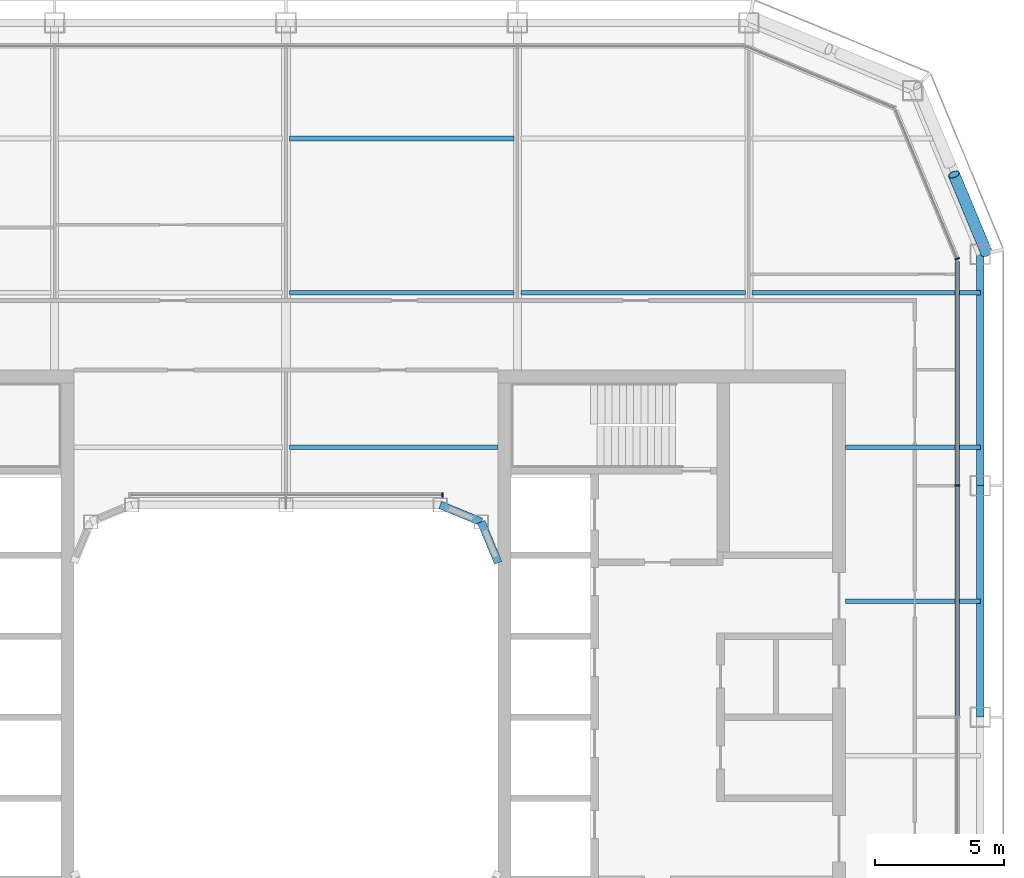
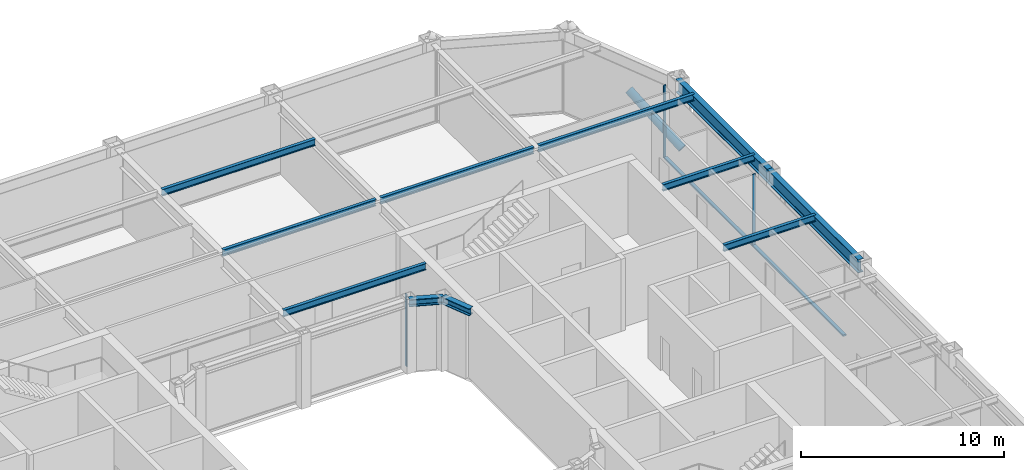
# One storey, part 9 of 19: 11 beams, 6 members, 3 elements without a shape of their own.
"""IFC4 building model written with IfcOpenShell, lengths in metres."""

import ifcopenshell
import ifcopenshell.guid

model = None  # the IFC model being written
_history = None  # IfcOwnerHistory: only IFC2X3 demands one
_inside = {}  # id of a spatial element -> (the spatial element, [elements in it])
_under = {}  # id of a project, library or spatial element -> (it, [spatial elements below it])
_declared = {}  # id of a project -> (the project, [libraries it declares])
_typed = {}  # id of a type object -> (the type object, [elements of that type])
_made_of = {}  # id of a material, layer set ... -> (it, [elements and type objects made of it])


def new_model(schema):
    """Start an empty IFC model of exactly this schema.

    Asked for "IFC4X3", IfcOpenShell would pick the latest addendum, in which some entities
    have other attributes; the version numbers below select the first issue.
    IFC2X3 requires an IfcOwnerHistory on every rooted entity: one is made here for all.
    """
    global model, _history
    if schema == "IFC4X3":
        model = ifcopenshell.file(schema_version=(4, 3, 0, 0))
    else:
        model = ifcopenshell.file(schema=schema)
    _inside.clear()
    _under.clear()
    _declared.clear()
    _typed.clear()
    _made_of.clear()
    _history = None
    if model.schema == "IFC2X3":
        org = make("IfcOrganization", Name="unknown")
        user = make(
            "IfcPersonAndOrganization",
            ThePerson=make("IfcPerson", FamilyName="unknown"),
            TheOrganization=org,
        )
        app = make(
            "IfcApplication",
            ApplicationDeveloper=org,
            Version="unknown",
            ApplicationFullName="unknown",
            ApplicationIdentifier="unknown",
        )
        _history = make(
            "IfcOwnerHistory",
            OwningUser=user,
            OwningApplication=app,
            ChangeAction="ADDED",
            CreationDate=0,
        )
    return model


def make(cls, **values):
    """One entity of the class cls with the attributes given. An attribute that is None is left unset."""
    return model.create_entity(
        cls, **{name: value for name, value in values.items() if value is not None}
    )


def rooted(cls, **values):
    """An entity with a GlobalId (a new one), such as an element, a storey or a relation."""
    return make(cls, GlobalId=ifcopenshell.guid.new(), OwnerHistory=_history, **values)


def si_unit(unit_type, name, prefix=None):
    """IfcSIUnit, for example si_unit("LENGTHUNIT", "METRE", prefix="MILLI")."""
    return make("IfcSIUnit", UnitType=unit_type, Prefix=prefix, Name=name)


def assignment(units):
    """IfcUnitAssignment: the units of a project."""
    return None if units is None else make("IfcUnitAssignment", Units=units)


def point(xyz):
    """IfcCartesianPoint."""
    return None if xyz is None else make("IfcCartesianPoint", Coordinates=xyz)


def direction(xyz):
    """IfcDirection."""
    return None if xyz is None else make("IfcDirection", DirectionRatios=xyz)


def frame(location, z_axis=None, x_axis=None):
    """IfcAxis2Placement3D, a coordinate frame: its origin and axes. An axis left out is left unset."""
    return make(
        "IfcAxis2Placement3D",
        Location=point(location),
        Axis=direction(z_axis),
        RefDirection=direction(x_axis),
    )


def frame_2d(location, x_axis=None):
    """IfcAxis2Placement2D, a coordinate frame in the plane: its origin and x axis."""
    return make(
        "IfcAxis2Placement2D", Location=point(location), RefDirection=direction(x_axis)
    )


def origin():
    """The frame at (0, 0, 0) with its axes left unset."""
    return frame((0.0, 0.0, 0.0))


def origin_2d():
    """The frame at (0, 0) in the plane with its x axis left unset."""
    return frame_2d((0.0, 0.0))


def place(relative_to, where):
    """IfcLocalPlacement: puts the frame where relative to a parent placement (None: the world)."""
    return make(
        "IfcLocalPlacement", PlacementRelTo=relative_to, RelativePlacement=where
    )


def context(
    kind, dimensions, precision=None, world=None, true_north=None, identifier=None
):
    """IfcGeometricRepresentationContext, for example the 3D "Model" context."""
    return make(
        "IfcGeometricRepresentationContext",
        ContextIdentifier=identifier,
        ContextType=kind,
        CoordinateSpaceDimension=dimensions,
        Precision=precision,
        WorldCoordinateSystem=world,
        TrueNorth=true_north,
    )


def subcontext(parent, identifier, kind, view, scale=None):
    """IfcGeometricRepresentationSubContext, for example "Body" below "Model"."""
    return make(
        "IfcGeometricRepresentationSubContext",
        ContextIdentifier=identifier,
        ContextType=kind,
        ParentContext=parent,
        TargetScale=scale,
        TargetView=view,
    )


def project(units=None, contexts=None):
    """IfcProject with its units and contexts."""
    return rooted(
        "IfcProject",
        Name="project",
        RepresentationContexts=contexts,
        UnitsInContext=assignment(units),
    )


def spatial(cls, under=None, at=None, **own):
    """A site, building, storey or space (cls), placed at a placement, below another one or the project."""
    s = rooted(cls, ObjectPlacement=at, **own)
    if under is not None:
        _under.setdefault(under.id(), (under, []))[1].append(s)
    return s


def profile(cls, at=None, kind="AREA", **sizes):
    """A parametric profile (cls). Its sizes go by their IFC names, for example OverallWidth=200.0."""
    return make(cls, ProfileType=kind, Position=at, **sizes)


def rectangle(**sizes):
    """IfcRectangleProfileDef."""
    return profile("IfcRectangleProfileDef", **sizes)


def hollow_circle(**sizes):
    """IfcCircleHollowProfileDef."""
    return profile("IfcCircleHollowProfileDef", **sizes)


def i_section(**sizes):
    """IfcIShapeProfileDef."""
    return profile("IfcIShapeProfileDef", **sizes)


def extrude(swept, where, along, depth):
    """IfcExtrudedAreaSolid: the profile swept, set in the frame where, extruded along a direction by depth."""
    return make(
        "IfcExtrudedAreaSolid",
        SweptArea=swept,
        Position=where,
        ExtrudedDirection=direction(along),
        Depth=depth,
    )


def shape(context_of_items, identifier, shape_type, items):
    """IfcShapeRepresentation: the items that make up one representation, for example the "Body"."""
    return make(
        "IfcShapeRepresentation",
        ContextOfItems=context_of_items,
        RepresentationIdentifier=identifier,
        RepresentationType=shape_type,
        Items=items,
    )


def material(Name=None, Category=None):
    """IfcMaterial."""
    return make("IfcMaterial", Name=Name, Category=Category)


def layer(
    of_material, thickness, ventilated=None, Name=None, Category=None, Priority=None
):
    """IfcMaterialLayer: one layer of a wall or slab, of a material (None: an air gap)."""
    return make(
        "IfcMaterialLayer",
        Material=of_material,
        LayerThickness=thickness,
        IsVentilated=ventilated,
        Name=Name,
        Category=Category,
        Priority=Priority,
    )


def layer_set(layers, Name=None):
    """IfcMaterialLayerSet."""
    return make("IfcMaterialLayerSet", MaterialLayers=layers, LayerSetName=Name)


def material_profile(
    of_material, cross_section, Name=None, Category=None, Priority=None
):
    """IfcMaterialProfile: a cross section and its material."""
    return make(
        "IfcMaterialProfile",
        Name=Name,
        Material=of_material,
        Profile=cross_section,
        Priority=Priority,
        Category=Category,
    )


def profile_set(profiles, Name=None, composite=None):
    """IfcMaterialProfileSet."""
    return make(
        "IfcMaterialProfileSet",
        Name=Name,
        MaterialProfiles=profiles,
        CompositeProfile=composite,
    )


def made_of(thing, what):
    """Note that an element or type object is made of a material, layer set ...; save() writes the relation."""
    if what is not None:
        _made_of.setdefault(what.id(), (what, []))[1].append(thing)
    return thing


def type_object(cls, material=None, **own):
    """A type object (cls), such as IfcWallType, which elements share."""
    return made_of(rooted(cls, **own), material)


def element(
    cls,
    number,
    at=None,
    inside=None,
    cuts=None,
    type_object=None,
    material=None,
    context=None,
    identifier="Body",
    shape_type=None,
    held_by="IfcProductDefinitionShape",
    body=None,
    shapes=None,
    **own,
):
    """One element of the class cls, such as IfcWall. Its Tag is "e" and its number.

    at: its placement. inside: the storey or other place that contains it. cuts: it is an
    opening in that element (IfcRelVoidsElement). A single representation is given by context,
    identifier, shape_type and body (its items); several are given by shapes. held_by: the class
    of the entity that holds the representations. save() writes the other relations.
    """
    e = rooted(cls, Tag="e%d" % number, ObjectPlacement=at, **own)
    if body is not None:
        shapes = [shape(context, identifier, shape_type, body)]
    if shapes is not None:
        e.Representation = make(held_by, Representations=shapes)
    if inside is not None:
        _inside.setdefault(inside.id(), (inside, []))[1].append(e)
    if cuts is not None:
        rooted(
            "IfcRelVoidsElement", RelatingBuildingElement=cuts, RelatedOpeningElement=e
        )
    if type_object is not None:
        _typed.setdefault(type_object.id(), (type_object, []))[1].append(e)
    return made_of(e, material)


def aggregate(whole, parts):
    """IfcRelAggregates: a whole, such as a stair, and the parts it consists of."""
    return rooted("IfcRelAggregates", RelatingObject=whole, RelatedObjects=parts)


def save(model, path):
    """Write the relations noted so far, then the file.

    IfcRelAggregates (storeys below a building ...), IfcRelContainedInSpatialStructure (elements
    in a storey), IfcRelDefinesByType, IfcRelAssociatesMaterial and IfcRelDeclares: one each for
    every whole, place, type object, material and project.
    """
    for whole, parts in _under.values():
        aggregate(whole, parts)
    for where, things in _inside.values():
        rooted(
            "IfcRelContainedInSpatialStructure",
            RelatedElements=things,
            RelatingStructure=where,
        )
    for kind, things in _typed.values():
        rooted("IfcRelDefinesByType", RelatedObjects=things, RelatingType=kind)
    for what, things in _made_of.values():
        rooted("IfcRelAssociatesMaterial", RelatedObjects=things, RelatingMaterial=what)
    for by, libraries in _declared.values():
        rooted("IfcRelDeclares", RelatingContext=by, RelatedDefinitions=libraries)
    model.write(path)


model = new_model("IFC4")

# Units and contexts
model_context = context("Model", 3, precision=1e-05, world=origin(), true_north=direction((0.0, 1.0)))
body_context = subcontext(model_context, "Body", "Model", "MODEL_VIEW")
ifc_project = project(units=[si_unit("LENGTHUNIT", "METRE"), si_unit("AREAUNIT", "SQUARE_METRE"), si_unit("VOLUMEUNIT", "CUBIC_METRE"), si_unit("PLANEANGLEUNIT", "RADIAN"), si_unit("MASSUNIT", "GRAM", prefix="KILO")], contexts=[model_context])

# Site, building, storey
site_placement = place(None, origin())
site = spatial("IfcSite", under=ifc_project, at=site_placement, CompositionType="ELEMENT")
building_placement = place(site_placement, origin())
building = spatial("IfcBuilding", under=site, at=building_placement, Name="Siwar Civic Tower", CompositionType="ELEMENT")
storey_placement = place(building_placement, frame((0.0, 0.0, 264.699951171875)))
storey = spatial("IfcBuildingStorey", under=building, at=storey_placement, Name="L57", CompositionType="ELEMENT", Elevation=264.699951171875)

# Curtain wall, member
ifc_material_1 = material(Name="Aluminium and glass", Category="aluminium")
ifc_layer_1 = layer(ifc_material_1, 0.179931640625)
ifc_layer_set_1 = layer_set([ifc_layer_1], Name="Aluminium and glass")
curtain_wall_type_1 = type_object("IfcCurtainWallType", Name="ENV-CW-C", PredefinedType="NOTDEFINED", material=ifc_layer_set_1)
curtain_wall_1_placement = place(storey_placement, origin())
curtain_wall_1 = element("IfcCurtainWall", 1, at=curtain_wall_1_placement, inside=storey, type_object=curtain_wall_type_1, Name="Curtain wall C E", PredefinedType="NOTDEFINED")
ifc_material_2 = material(Name="Aluminium 6063-T6", Category="aluminium")
ifc_material_profile_1 = material_profile(ifc_material_2, rectangle(XDim=0.179931640625, YDim=0.06005859375, at=origin_2d()), Name="AL 180x60")
ifc_profile_set_1 = profile_set([ifc_material_profile_1], Name="Aluminium 6063-T6")
member_type_1 = type_object("IfcMemberType", Name="ENV-MULLION-C", PredefinedType="MULLION", material=ifc_profile_set_1)
member_1_placement = place(storey_placement, frame((26.10009765625, 9.0, 0.0), z_axis=(0.0, 0.0, 1.0), x_axis=(-1.0, 0.0, 0.0)))
member_1 = element("IfcMember", 2, at=member_1_placement, type_object=member_type_1, Name="Mullion C E 4", PredefinedType="MULLION", context=body_context, shape_type="SweptSolid", body=[
    extrude(rectangle(XDim=0.179931640625, YDim=0.06005859375, at=origin_2d()), origin(), (0.0, 0.0, 1.0), 4.35009765625),
])

ifc_material_3 = material(Name="Aluminium clad insulated panel", Category="aluminium")
ifc_layer_2 = layer(ifc_material_3, 0.179931640625)
ifc_layer_set_2 = layer_set([ifc_layer_2], Name="Aluminium clad insulated panel")
curtain_wall_type_2 = type_object("IfcCurtainWallType", Name="ENV-CW-CX", PredefinedType="NOTDEFINED", material=ifc_layer_set_2)
curtain_wall_2_placement = place(storey_placement, origin())
curtain_wall_2 = element("IfcCurtainWall", 3, at=curtain_wall_2_placement, inside=storey, type_object=curtain_wall_type_2, Name="Curtain wall C NE1", PredefinedType="NOTDEFINED")
member_2_placement = place(storey_placement, frame((26.10009765625, 17.821044921875, 0.0), z_axis=(0.0, 0.0, 1.0), x_axis=(-0.923879532511, -0.382683432365, 0.0)))
member_2 = element("IfcMember", 4, at=member_2_placement, type_object=member_type_1, Name="Mullion C NE1 1", PredefinedType="MULLION", context=body_context, shape_type="SweptSolid", body=[
    extrude(rectangle(XDim=0.179931640625, YDim=0.06005859375, at=origin_2d()), origin(), (0.0, 0.0, 1.0), 4.35009765625),
])
aggregate(curtain_wall_2, [member_2])

ifc_material_4 = material(Name="Aluminium and glass", Category="aluminium")
ifc_layer_3 = layer(ifc_material_4, 0.179931640625)
ifc_layer_set_3 = layer_set([ifc_layer_3], Name="Aluminium and glass")
curtain_wall_type_3 = type_object("IfcCurtainWallType", Name="ENV-CW-W", PredefinedType="NOTDEFINED", material=ifc_layer_set_3)
curtain_wall_3_placement = place(storey_placement, origin())
curtain_wall_3 = element("IfcCurtainWall", 5, at=curtain_wall_3_placement, inside=storey, type_object=curtain_wall_type_3, Name="Curtain wall W WN", PredefinedType="NOTDEFINED")
ifc_material_5 = material(Name="Aluminium 6063-T6", Category="aluminium")
ifc_material_profile_2 = material_profile(ifc_material_5, rectangle(XDim=0.179931640625, YDim=0.06005859375, at=origin_2d()), Name="AL 180x60")
ifc_profile_set_2 = profile_set([ifc_material_profile_2], Name="Aluminium 6063-T6")
member_type_2 = type_object("IfcMemberType", Name="ENV-MULLION-W", PredefinedType="MULLION", material=ifc_profile_set_2)
member_3_placement = place(storey_placement, frame((6.07666015625, 8.635009765625, 0.0), z_axis=(0.0, 0.0, 1.0), x_axis=(0.0, -1.0, 0.0)))
member_3 = element("IfcMember", 6, at=member_3_placement, type_object=member_type_2, Name="Mullion W WN 1", PredefinedType="MULLION", context=body_context, shape_type="SweptSolid", body=[
    extrude(rectangle(XDim=0.179931640625, YDim=0.06005859375, at=origin_2d()), origin(), (0.0, 0.0, 1.0), 4.35009765625),
])
aggregate(curtain_wall_3, [member_3])

# Member
ifc_material_6 = material(Name="Aluminium 6063-T6", Category="aluminium")
ifc_material_profile_3 = material_profile(ifc_material_6, rectangle(XDim=0.179931640625, YDim=0.10009765625, at=origin_2d()), Name="AL 180x100")
ifc_profile_set_3 = profile_set([ifc_material_profile_3], Name="Aluminium 6063-T6")
member_type_3 = type_object("IfcMemberType", Name="ENV-TRANSOM-C", PredefinedType="USERDEFINED", material=ifc_profile_set_3)
member_4_placement = place(storey_placement, frame((26.10009765625, 0.030029296875, 0.050048828125), z_axis=(0.0, 1.0, 0.0), x_axis=(-1.0, 0.0, 0.0)))
member_4 = element("IfcMember", 7, at=member_4_placement, type_object=member_type_3, Name="Transom C E 3", ObjectType="TRANSOM", PredefinedType="USERDEFINED", context=body_context, shape_type="SweptSolid", body=[
    extrude(rectangle(XDim=0.179931640625, YDim=0.10009765625, at=origin_2d()), origin(), (0.0, 0.0, 1.0), 8.93994140625),
])

member_5_placement = place(storey_placement, frame((26.10009765625, 9.030029296875, 0.050048828125), z_axis=(0.0, 1.0, 0.0), x_axis=(-1.0, 0.0, 0.0)))
member_5 = element("IfcMember", 8, at=member_5_placement, type_object=member_type_3, Name="Transom C E 4", ObjectType="TRANSOM", PredefinedType="USERDEFINED", context=body_context, shape_type="SweptSolid", body=[
    extrude(rectangle(XDim=0.179931640625, YDim=0.10009765625, at=origin_2d()), origin(), (0.0, 0.0, 1.0), 8.68603515625),
])

aggregate(curtain_wall_1, [member_1, member_4, member_5])

ifc_material_7 = material(Name="Steel S355", Category="steel")
ifc_material_profile_4 = material_profile(ifc_material_7, hollow_circle(Radius=0.228515625, WallThickness=0.02001953125, at=origin_2d()), Name="CHS457x20")
ifc_profile_set_4 = profile_set([ifc_material_profile_4], Name="Steel S355")
member_type_4 = type_object("IfcMemberType", Name="STR-BR-CHS457x20", PredefinedType="BRACE", material=ifc_profile_set_4)
member_6_placement = place(storey_placement, frame((27.2451171875, 18.048828125, 0.0), z_axis=(-0.323884455881, 0.777546448489, 0.538999424564), x_axis=(-0.92311621485, -0.38452107079, 0.0)))
element("IfcMember", 9, at=member_6_placement, inside=storey, type_object=member_type_4, Name="L57/brc/CNE1-17-0-4", PredefinedType="BRACE", context=body_context, shape_type="SweptSolid", body=[
    extrude(hollow_circle(Radius=0.228515625, WallThickness=0.02001953125, at=origin_2d()), origin(), (0.0, 0.0, 1.0), 3.927978515625),
])

# Beams
ifc_material_8 = material(Name="Steel S355", Category="steel")
ifc_material_profile_5 = material_profile(ifc_material_8, i_section(OverallWidth=0.179931640625, OverallDepth=0.39990234375, WebThickness=0.008544921875, FlangeThickness=0.013427734375, FilletRadius=0.02099609375, at=origin_2d()), Name="IPE400")
ifc_profile_set_5 = profile_set([ifc_material_profile_5], Name="Steel S355")
beam_type_1 = type_object("IfcBeamType", Name="STR-FB-IPE400", PredefinedType="JOIST", material=ifc_profile_set_5)
beam_1_placement = place(storey_placement, frame((21.75, 4.5, 4.150146484375), z_axis=(1.0, 0.0, 0.0), x_axis=(0.0, 1.0, 0.0)))
element("IfcBeam", 10, at=beam_1_placement, inside=storey, type_object=beam_type_1, Name="L57/bm/F026", PredefinedType="JOIST", context=body_context, shape_type="SweptSolid", body=[
    extrude(i_section(OverallWidth=0.179931640625, OverallDepth=0.39990234375, WebThickness=0.008544921875, FlangeThickness=0.013427734375, FilletRadius=0.02099609375, at=origin_2d()), origin(), (0.0, 0.0, 1.0), 5.25),
])
beam_2_placement = place(storey_placement, frame((0.1298828125, 10.5, 4.150146484375), z_axis=(1.0, 0.0, 0.0), x_axis=(0.0, 1.0, 0.0)))
element("IfcBeam", 11, at=beam_2_placement, inside=storey, type_object=beam_type_1, Name="L57/bm/F029", PredefinedType="JOIST", context=body_context, shape_type="SweptSolid", body=[
    extrude(i_section(OverallWidth=0.179931640625, OverallDepth=0.39990234375, WebThickness=0.008544921875, FlangeThickness=0.013427734375, FilletRadius=0.02099609375, at=origin_2d()), origin(), (0.0, 0.0, 1.0), 8.1201171875),
])
beam_3_placement = place(storey_placement, frame((21.75, 10.5, 4.150146484375), z_axis=(1.0, 0.0, 0.0), x_axis=(0.0, 1.0, 0.0)))
element("IfcBeam", 12, at=beam_3_placement, inside=storey, type_object=beam_type_1, Name="L57/bm/F030", PredefinedType="JOIST", context=body_context, shape_type="SweptSolid", body=[
    extrude(i_section(OverallWidth=0.179931640625, OverallDepth=0.39990234375, WebThickness=0.008544921875, FlangeThickness=0.013427734375, FilletRadius=0.02099609375, at=origin_2d()), origin(), (0.0, 0.0, 1.0), 5.25),
])
for number, where, z_axis, x_axis, name in (
    (13, (0.1298828125, 16.5, 4.150146484375), (1.0, 0.0, 0.0), (0.0, 1.0, 0.0), "L57/bm/F034"),
    (14, (9.1298828125, 16.5, 4.150146484375), (1.0, 0.0, 0.0), (0.0, 1.0, 0.0), "L57/bm/F035"),
):
    element("IfcBeam", number, at=place(storey_placement, frame(where, z_axis=z_axis, x_axis=x_axis)), inside=storey, type_object=beam_type_1, Name=name, PredefinedType="JOIST", context=body_context, shape_type="SweptSolid", body=[
        extrude(i_section(OverallWidth=0.179931640625, OverallDepth=0.39990234375, WebThickness=0.008544921875, FlangeThickness=0.013427734375, FilletRadius=0.02099609375, at=origin_2d()), origin(), (0.0, 0.0, 1.0), 8.740234375),
    ])
beam_4_placement = place(storey_placement, frame((18.1298828125, 16.5, 4.150146484375), z_axis=(1.0, 0.0, 0.0), x_axis=(0.0, 1.0, 0.0)))
element("IfcBeam", 15, at=beam_4_placement, inside=storey, type_object=beam_type_1, Name="L57/bm/F036", PredefinedType="JOIST", context=body_context, shape_type="SweptSolid", body=[
    extrude(i_section(OverallWidth=0.179931640625, OverallDepth=0.39990234375, WebThickness=0.008544921875, FlangeThickness=0.013427734375, FilletRadius=0.02099609375, at=origin_2d()), origin(), (0.0, 0.0, 1.0), 8.8701171875),
])
beam_5_placement = place(storey_placement, frame((0.1298828125, 22.5, 4.150146484375), z_axis=(1.0, 0.0, 0.0), x_axis=(0.0, 1.0, 0.0)))
element("IfcBeam", 16, at=beam_5_placement, inside=storey, type_object=beam_type_1, Name="L57/bm/F040", PredefinedType="JOIST", context=body_context, shape_type="SweptSolid", body=[
    extrude(i_section(OverallWidth=0.179931640625, OverallDepth=0.39990234375, WebThickness=0.008544921875, FlangeThickness=0.013427734375, FilletRadius=0.02099609375, at=origin_2d()), origin(), (0.0, 0.0, 1.0), 8.740234375),
])
ifc_material_9 = material(Name="Steel S355", Category="steel")
ifc_material_profile_6 = material_profile(ifc_material_9, i_section(OverallWidth=0.306884765625, OverallDepth=0.431884765625, WebThickness=0.02099609375, FlangeThickness=0.0400390625, FilletRadius=0.027099609375, at=origin_2d()), Name="HEM400")
ifc_profile_set_6 = profile_set([ifc_material_profile_6], Name="Steel S355")
beam_type_2 = type_object("IfcBeamType", Name="STR-RB-HEM400", PredefinedType="BEAM", material=ifc_profile_set_6)
for number, where, z_axis, x_axis, name in (
    (17, (6.0, 8.25, 4.134033203125), (0.923901072997, -0.382631424892, 0.0), (0.382631424892, 0.923901072997, 0.0), "L57/bm/RN3"),
    (18, (7.591064453125, 7.591064453125, 4.134033203125), (0.382631424892, -0.923901072997, 0.0), (0.923901072997, 0.382631424892, 0.0), "L57/bm/RNEE"),
):
    element("IfcBeam", number, at=place(storey_placement, frame(where, z_axis=z_axis, x_axis=x_axis)), inside=storey, type_object=beam_type_2, Name=name, PredefinedType="BEAM", context=body_context, shape_type="SweptSolid", body=[
        extrude(i_section(OverallWidth=0.306884765625, OverallDepth=0.431884765625, WebThickness=0.02099609375, FlangeThickness=0.0400390625, FilletRadius=0.027099609375, at=origin_2d()), origin(), (0.0, 0.0, 1.0), 1.72216796875),
    ])
ifc_material_10 = material(Name="Steel S355", Category="steel")
ifc_material_profile_7 = material_profile(ifc_material_10, i_section(OverallWidth=0.300048828125, OverallDepth=0.800048828125, WebThickness=0.017578125, FlangeThickness=0.032958984375, FilletRadius=0.030029296875, at=origin_2d()), Name="HEB800")
ifc_profile_set_7 = profile_set([ifc_material_profile_7], Name="Steel S355")
beam_type_3 = type_object("IfcBeamType", Name="STR-SB-HEB800", PredefinedType="BEAM", material=ifc_profile_set_7)
for number, where, z_axis, x_axis, name in (
    (19, (27.0, 0.0, 3.949951171875), (0.0, 1.0, 0.0), (-1.0, 0.0, 0.0), "L57/bm/SE-2"),
    (20, (27.0, 9.0, 3.949951171875), (0.0, 1.0, 0.0), (-1.0, 0.0, 0.0), "L57/bm/SE-3"),
):
    element("IfcBeam", number, at=place(storey_placement, frame(where, z_axis=z_axis, x_axis=x_axis)), inside=storey, type_object=beam_type_3, Name=name, PredefinedType="BEAM", context=body_context, shape_type="SweptSolid", body=[
        extrude(i_section(OverallWidth=0.300048828125, OverallDepth=0.800048828125, WebThickness=0.017578125, FlangeThickness=0.032958984375, FilletRadius=0.030029296875, at=origin_2d()), origin(), (0.0, 0.0, 1.0), 9.0),
    ])

save(model, "model.ifc")
